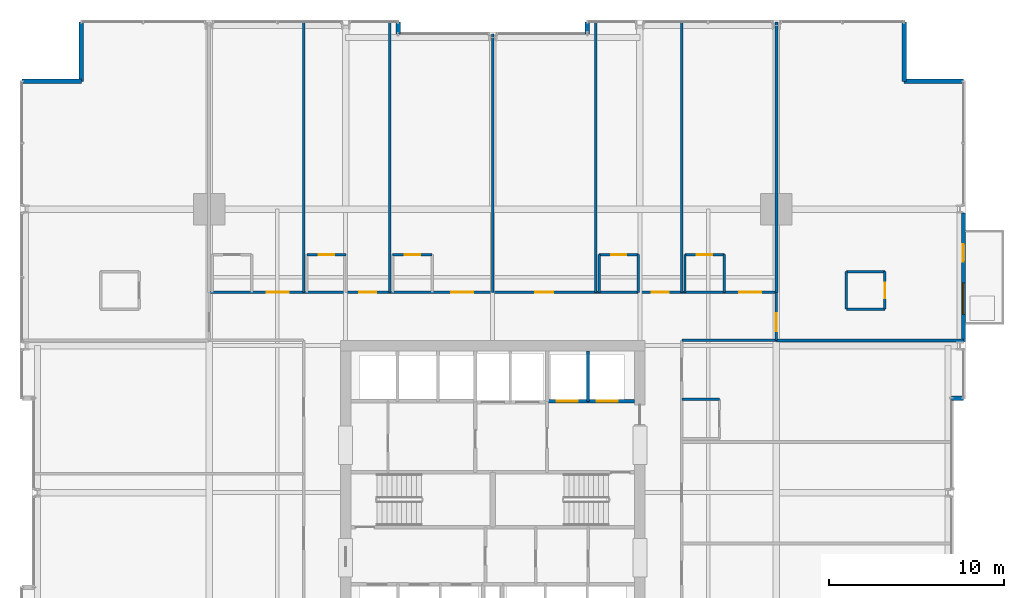
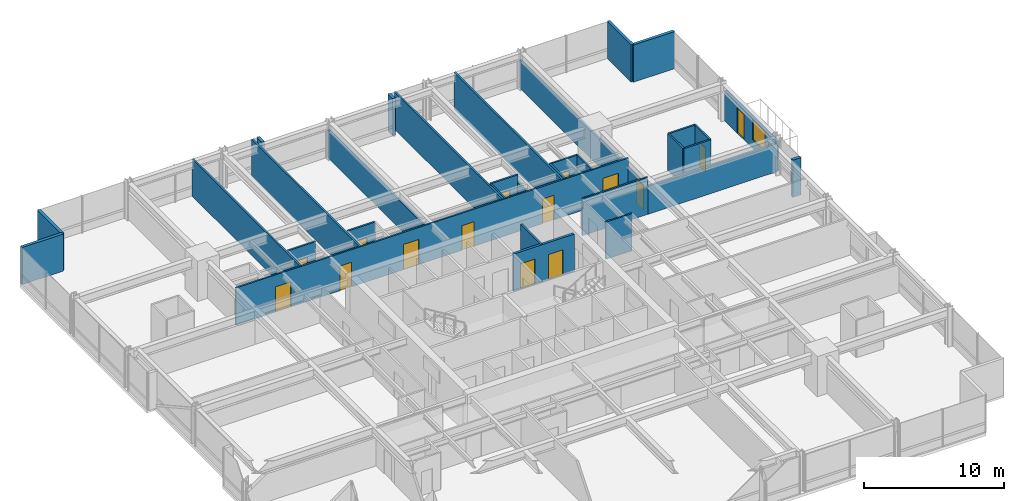
# One storey, part 33 of 38: 33 walls, 15 doors, 1 window, 16 openings.
"""IFC4 building model written with IfcOpenShell, lengths in metres."""

from ifc_helpers import new_model, si_unit, direction, frame, frame_2d, origin, place, context, subcontext, project, spatial, rectangle, extrude, material, layer, layer_set, type_object, element, fill, save


model = new_model("IFC4")

# Units and contexts
model_context = context("Model", 3, precision=1e-05, world=origin(), true_north=direction((0.0, 1.0)))
body_context = subcontext(model_context, "Body", "Model", "MODEL_VIEW")
ifc_project = project(units=[si_unit("LENGTHUNIT", "METRE"), si_unit("AREAUNIT", "SQUARE_METRE"), si_unit("VOLUMEUNIT", "CUBIC_METRE"), si_unit("PLANEANGLEUNIT", "RADIAN"), si_unit("MASSUNIT", "GRAM", prefix="KILO")], contexts=[model_context])

# Site, building, storey
site_placement = place(None, origin())
site = spatial("IfcSite", under=ifc_project, at=site_placement, CompositionType="ELEMENT")
building_placement = place(site_placement, origin())
building = spatial("IfcBuilding", under=site, at=building_placement, Name="Drelvath Grand Hotel", CompositionType="ELEMENT")
storey_placement = place(building_placement, frame((0.0, 0.0, 64.699951171875)))
storey = spatial("IfcBuildingStorey", under=building, at=storey_placement, Name="L15", CompositionType="ELEMENT", Elevation=64.699951171875)

# Wall, openings, doors
ifc_material_1 = material(Name="Concrete C40/50", Category="concrete")
ifc_layer_1 = layer(ifc_material_1, 0.199951171875)
ifc_layer_set_1 = layer_set([ifc_layer_1], Name="Concrete C40/50")
wall_type_1 = type_object("IfcWallType", Name="Core Hoistway Fire Wall 200", PredefinedType="SOLIDWALL", material=ifc_layer_set_1)
wall_1_placement = place(storey_placement, frame((3.10009765625, 32.219970703125, 0.0), z_axis=(0.0, 0.0, 1.0), x_axis=(1.0, 0.0, 0.0)))
wall_1 = element("IfcWall", 1, at=wall_1_placement, inside=storey, type_object=wall_type_1, Name="L15 FSAE Hoistway Front Wall", PredefinedType="SOLIDWALL", context=body_context, shape_type="SweptSolid", body=[
    extrude(rectangle(XDim=5.0, YDim=0.199951171875, at=frame_2d((2.5, 0.0))), origin(), (0.0, 0.0, 1.0), 3.239990234375),
])
opening_1_placement = place(wall_1_placement, frame((0.550048828125, 0.0, 0.0)))
opening_1 = element("IfcOpeningElement", 2, at=opening_1_placement, cuts=wall_1, Name="Opening LD-FSAE-1", PredefinedType="OPENING", context=body_context, shape_type="SweptSolid", body=[
    extrude(rectangle(XDim=1.199951171875, YDim=2.199951171875, at=frame_2d((0.60009765625, 1.10009765625))), frame((0.0, 0.10986328125, 0.0), z_axis=(0.0, -1.0, 0.0), x_axis=(1.0, 0.0, 0.0)), (0.0, 0.0, 1.0), 0.219970703125),
])
opening_2_placement = place(wall_1_placement, frame((2.85009765625, 0.0, 0.0)))
opening_2 = element("IfcOpeningElement", 3, at=opening_2_placement, cuts=wall_1, Name="Opening LD-FSAE-2", PredefinedType="OPENING", context=body_context, shape_type="SweptSolid", body=[
    extrude(rectangle(XDim=1.199951171875, YDim=2.199951171875, at=frame_2d((0.60009765625, 1.10009765625))), frame((0.0, 0.10986328125, 0.0), z_axis=(0.0, -1.0, 0.0), x_axis=(1.0, 0.0, 0.0)), (0.0, 0.0, 1.0), 0.219970703125),
])
ifc_material_2 = material(Name="Stainless Steel S355", Category="steel")
door_type_1 = type_object("IfcDoorType", Name="FSAE Lift Sliding Landing Door 1200x2200", OperationType="NOTDEFINED", PredefinedType="DOOR", material=ifc_material_2)
door_1_placement = place(opening_1_placement, origin())
door_1 = element("IfcDoor", 4, at=door_1_placement, inside=storey, type_object=door_type_1, Name="L15 Lift FSAE-1 Landing Door", OperationType="SLIDING_TO_LEFT", OverallHeight=2.199951171875, OverallWidth=1.199951171875, PredefinedType="DOOR", context=body_context, shape_type="SweptSolid", body=[
    extrude(rectangle(XDim=1.199951171875, YDim=2.199951171875, at=frame_2d((0.60009765625, 1.10009765625))), frame((0.0, 0.02490234375, 0.0), z_axis=(0.0, -1.0, 0.0), x_axis=(1.0, 0.0, 0.0)), (0.0, 0.0, 1.0), 0.050048828125),
])
fill(opening_1, door_1)
door_2_placement = place(opening_2_placement, origin())
door_2 = element("IfcDoor", 5, at=door_2_placement, inside=storey, type_object=door_type_1, Name="L15 Lift FSAE-2 Landing Door", OperationType="SLIDING_TO_LEFT", OverallHeight=2.199951171875, OverallWidth=1.199951171875, PredefinedType="DOOR", context=body_context, shape_type="SweptSolid", body=[
    extrude(rectangle(XDim=1.199951171875, YDim=2.199951171875, at=frame_2d((0.60009765625, 1.10009765625))), frame((0.0, 0.02490234375, 0.0), z_axis=(0.0, -1.0, 0.0), x_axis=(1.0, 0.0, 0.0)), (0.0, 0.0, 1.0), 0.050048828125),
])
fill(opening_2, door_2)

# Wall
ifc_material_3 = material(Name="Gypsum Fireboard Partition")
ifc_layer_2 = layer(ifc_material_3, 0.1650390625)
ifc_layer_set_2 = layer_set([ifc_layer_2], Name="Gypsum Fireboard Partition")
wall_type_2 = type_object("IfcWallType", Name="Core Shaft Partition 165", PredefinedType="PARTITIONING", material=ifc_layer_set_2)
wall_2_placement = place(storey_placement, frame((5.449951171875, 32.219970703125, 0.0), z_axis=(0.0, 0.0, 1.0), x_axis=(0.0, 1.0, 0.0)))
element("IfcWall", 6, at=wall_2_placement, inside=storey, type_object=wall_type_2, Name="L15 FSAE Hoistway Divider", PredefinedType="PARTITIONING", context=body_context, shape_type="SweptSolid", body=[
    extrude(rectangle(XDim=2.880126953125, YDim=0.1650390625, at=frame_2d((1.43994140625, 0.0))), origin(), (0.0, 0.0, 1.0), 3.239990234375),
])

# Wall, openings, doors
ifc_layer_3 = layer(ifc_material_3, 0.135009765625)
ifc_layer_set_3 = layer_set([ifc_layer_3], Name="Gypsum Fireboard Partition")
wall_type_3 = type_object("IfcWallType", Name="Corridor Fire Barrier Wall 135", PredefinedType="PARTITIONING", material=ifc_layer_set_3)
wall_3_placement = place(storey_placement, frame((-16.199951171875, 38.449951171875, 0.0), z_axis=(0.0, 0.0, 1.0), x_axis=(1.0, 0.0, 0.0)))
wall_3 = element("IfcWall", 7, at=wall_3_placement, inside=storey, type_object=wall_type_3, Name="L15 North Corridor Wall", PredefinedType="PARTITIONING", context=body_context, shape_type="SweptSolid", body=[
    extrude(rectangle(XDim=32.39990234375, YDim=0.135009765625, at=frame_2d((16.199951171875, 0.0))), origin(), (0.0, 0.0, 1.0), 3.239990234375),
])
opening_3_placement = place(wall_3_placement, frame((3.284912109375, 0.0, 0.0)))
opening_3 = element("IfcOpeningElement", 8, at=opening_3_placement, cuts=wall_3, Name="Opening D-T1G4-033", PredefinedType="OPENING", context=body_context, shape_type="SweptSolid", body=[
    extrude(rectangle(XDim=1.260009765625, YDim=2.199951171875, at=frame_2d((0.6298828125, 1.10009765625))), frame((0.0, 0.077392578125, 0.0), z_axis=(0.0, -1.0, 0.0), x_axis=(1.0, 0.0, 0.0)), (0.0, 0.0, 1.0), 0.155029296875),
])
opening_4_placement = place(wall_3_placement, frame((8.589599609375, 0.0, 0.0)))
opening_4 = element("IfcOpeningElement", 9, at=opening_4_placement, cuts=wall_3, Name="Opening D-T1G4-035", PredefinedType="OPENING", context=body_context, shape_type="SweptSolid", body=[
    extrude(rectangle(XDim=0.9599609375, YDim=2.14990234375, at=frame_2d((0.47998046875, 1.074951171875))), frame((0.0, 0.077392578125, 0.0), z_axis=(0.0, -1.0, 0.0), x_axis=(1.0, 0.0, 0.0)), (0.0, 0.0, 1.0), 0.155029296875),
])
opening_5_placement = place(wall_3_placement, frame((13.839599609375, 0.0, 0.0)))
opening_5 = element("IfcOpeningElement", 10, at=opening_5_placement, cuts=wall_3, Name="Opening D-T1G4-037", PredefinedType="OPENING", context=body_context, shape_type="SweptSolid", body=[
    extrude(rectangle(XDim=1.260009765625, YDim=2.199951171875, at=frame_2d((0.6298828125, 1.10009765625))), frame((0.0, 0.077392578125, 0.0), z_axis=(0.0, -1.0, 0.0), x_axis=(1.0, 0.0, 0.0)), (0.0, 0.0, 1.0), 0.155029296875),
])
opening_6_placement = place(wall_3_placement, frame((18.635498046875, 0.0, 0.0)))
opening_6 = element("IfcOpeningElement", 11, at=opening_6_placement, cuts=wall_3, Name="Opening D-T1G4-038", PredefinedType="OPENING", context=body_context, shape_type="SweptSolid", body=[
    extrude(rectangle(XDim=1.02001953125, YDim=2.14990234375, at=frame_2d((0.510009765625, 1.074951171875))), frame((0.0, 0.077392578125, 0.0), z_axis=(0.0, -1.0, 0.0), x_axis=(1.0, 0.0, 0.0)), (0.0, 0.0, 1.0), 0.155029296875),
])
opening_7_placement = place(wall_3_placement, frame((25.280517578125, 0.0, 0.0)))
opening_7 = element("IfcOpeningElement", 12, at=opening_7_placement, cuts=wall_3, Name="Opening D-T1G4-040", PredefinedType="OPENING", context=body_context, shape_type="SweptSolid", body=[
    extrude(rectangle(XDim=0.9599609375, YDim=2.14990234375, at=frame_2d((0.47998046875, 1.074951171875))), frame((0.0, 0.077392578125, 0.0), z_axis=(0.0, -1.0, 0.0), x_axis=(1.0, 0.0, 0.0)), (0.0, 0.0, 1.0), 0.155029296875),
])
opening_8_placement = place(wall_3_placement, frame((30.284912109375, 0.0, 0.0)))
opening_8 = element("IfcOpeningElement", 13, at=opening_8_placement, cuts=wall_3, Name="Opening D-T1G4-042", PredefinedType="OPENING", context=body_context, shape_type="SweptSolid", body=[
    extrude(rectangle(XDim=1.260009765625, YDim=2.199951171875, at=frame_2d((0.6298828125, 1.10009765625))), frame((0.0, 0.077392578125, 0.0), z_axis=(0.0, -1.0, 0.0), x_axis=(1.0, 0.0, 0.0)), (0.0, 0.0, 1.0), 0.155029296875),
])
ifc_material_4 = material(Name="Hardwood Walnut Timber", Category="wood")
door_type_2 = type_object("IfcDoorType", Name="Amenity Meeting Fire Door 1020x2150", OperationType="NOTDEFINED", PredefinedType="DOOR", material=ifc_material_4)
door_3_placement = place(opening_6_placement, origin())
door_3 = element("IfcDoor", 14, at=door_3_placement, inside=storey, type_object=door_type_2, Name="L15 Quiet Study Salon Entry Door", OperationType="SINGLE_SWING_LEFT", OverallHeight=2.14990234375, OverallWidth=1.02001953125, PredefinedType="DOOR", context=body_context, shape_type="SweptSolid", body=[
    extrude(rectangle(XDim=1.02001953125, YDim=2.14990234375, at=frame_2d((0.510009765625, 1.074951171875))), frame((0.0, 0.02490234375, 0.0), z_axis=(0.0, -1.0, 0.0), x_axis=(1.0, 0.0, 0.0)), (0.0, 0.0, 1.0), 0.050048828125),
])
fill(opening_6, door_3)
door_type_3 = type_object("IfcDoorType", Name="Guestroom Entrance Fire Door 960x2150", OperationType="NOTDEFINED", PredefinedType="DOOR", material=ifc_material_4)
door_4_placement = place(opening_4_placement, origin())
door_4 = element("IfcDoor", 15, at=door_4_placement, inside=storey, type_object=door_type_3, Name="L15 Deluxe Guest Room Entry Door", OperationType="SINGLE_SWING_RIGHT", OverallHeight=2.14990234375, OverallWidth=0.9599609375, PredefinedType="DOOR", context=body_context, shape_type="SweptSolid", body=[
    extrude(rectangle(XDim=0.9599609375, YDim=2.14990234375, at=frame_2d((0.47998046875, 1.074951171875))), frame((0.0, 0.02490234375, 0.0), z_axis=(0.0, -1.0, 0.0), x_axis=(1.0, 0.0, 0.0)), (0.0, 0.0, 1.0), 0.050048828125),
])
fill(opening_4, door_4)
door_5_placement = place(opening_7_placement, origin())
door_5 = element("IfcDoor", 16, at=door_5_placement, inside=storey, type_object=door_type_3, Name="L15 Deluxe Guest Room Entry Door", OperationType="SINGLE_SWING_LEFT", OverallHeight=2.14990234375, OverallWidth=0.9599609375, PredefinedType="DOOR", context=body_context, shape_type="SweptSolid", body=[
    extrude(rectangle(XDim=0.9599609375, YDim=2.14990234375, at=frame_2d((0.47998046875, 1.074951171875))), frame((0.0, 0.02490234375, 0.0), z_axis=(0.0, -1.0, 0.0), x_axis=(1.0, 0.0, 0.0)), (0.0, 0.0, 1.0), 0.050048828125),
])
fill(opening_7, door_5)
door_type_4 = type_object("IfcDoorType", Name="Suite Entrance Fire Door 1260x2200", OperationType="NOTDEFINED", PredefinedType="DOOR", material=ifc_material_4)
door_6_placement = place(opening_3_placement, origin())
door_6 = element("IfcDoor", 17, at=door_6_placement, inside=storey, type_object=door_type_4, Name="L15 Corner Suite Entry Door", OperationType="SINGLE_SWING_RIGHT", OverallHeight=2.199951171875, OverallWidth=1.260009765625, PredefinedType="DOOR", context=body_context, shape_type="SweptSolid", body=[
    extrude(rectangle(XDim=1.260009765625, YDim=2.199951171875, at=frame_2d((0.6298828125, 1.10009765625))), frame((0.0, 0.02490234375, 0.0), z_axis=(0.0, -1.0, 0.0), x_axis=(1.0, 0.0, 0.0)), (0.0, 0.0, 1.0), 0.050048828125),
])
fill(opening_3, door_6)
door_7_placement = place(opening_5_placement, origin())
door_7 = element("IfcDoor", 18, at=door_7_placement, inside=storey, type_object=door_type_4, Name="L15 Corner Suite Entry Door", OperationType="SINGLE_SWING_RIGHT", OverallHeight=2.199951171875, OverallWidth=1.260009765625, PredefinedType="DOOR", context=body_context, shape_type="SweptSolid", body=[
    extrude(rectangle(XDim=1.260009765625, YDim=2.199951171875, at=frame_2d((0.6298828125, 1.10009765625))), frame((0.0, 0.02490234375, 0.0), z_axis=(0.0, -1.0, 0.0), x_axis=(1.0, 0.0, 0.0)), (0.0, 0.0, 1.0), 0.050048828125),
])
fill(opening_5, door_7)
door_8_placement = place(opening_8_placement, origin())
door_8 = element("IfcDoor", 19, at=door_8_placement, inside=storey, type_object=door_type_4, Name="L15 Corner Suite Entry Door", OperationType="SINGLE_SWING_LEFT", OverallHeight=2.199951171875, OverallWidth=1.260009765625, PredefinedType="DOOR", context=body_context, shape_type="SweptSolid", body=[
    extrude(rectangle(XDim=1.260009765625, YDim=2.199951171875, at=frame_2d((0.6298828125, 1.10009765625))), frame((0.0, 0.02490234375, 0.0), z_axis=(0.0, -1.0, 0.0), x_axis=(1.0, 0.0, 0.0)), (0.0, 0.0, 1.0), 0.050048828125),
])
fill(opening_8, door_8)

# Wall
wall_4_placement = place(storey_placement, frame((10.800048828125, 35.699951171875, 0.0), z_axis=(0.0, 0.0, 1.0), x_axis=(1.0, 0.0, 0.0)))
element("IfcWall", 20, at=wall_4_placement, inside=storey, type_object=wall_type_3, Name="L15 NE Spur Inner Wall", PredefinedType="PARTITIONING", context=body_context, shape_type="SweptSolid", body=[
    extrude(rectangle(XDim=5.39990234375, YDim=0.135009765625, at=frame_2d((2.699951171875, 0.0))), origin(), (0.0, 0.0, 1.0), 3.239990234375),
])

# Wall, opening, door
wall_5_placement = place(storey_placement, frame((16.199951171875, 35.699951171875, 0.0), z_axis=(0.0, 0.0, 1.0), x_axis=(0.0, 1.0, 0.0)))
wall_5 = element("IfcWall", 21, at=wall_5_placement, inside=storey, type_object=wall_type_3, Name="L15 North Corridor East End", PredefinedType="PARTITIONING", context=body_context, shape_type="SweptSolid", body=[
    extrude(rectangle(XDim=2.75, YDim=0.135009765625, at=frame_2d((1.375, 0.0))), origin(), (0.0, 0.0, 1.0), 2.451904296875),
])
opening_9_placement = place(wall_5_placement, frame((0.52001953125, 0.0, 0.0)))
opening_9 = element("IfcOpeningElement", 22, at=opening_9_placement, cuts=wall_5, Name="Opening D-T1G4-025", PredefinedType="OPENING", context=body_context, shape_type="SweptSolid", body=[
    extrude(rectangle(XDim=1.02001953125, YDim=2.14990234375, at=frame_2d((0.510009765625, 1.074951171875))), frame((0.0, 0.077392578125, 0.0), z_axis=(0.0, -1.0, 0.0), x_axis=(1.0, 0.0, 0.0)), (0.0, 0.0, 1.0), 0.155029296875),
])
door_9_placement = place(opening_9_placement, origin())
door_9 = element("IfcDoor", 23, at=door_9_placement, inside=storey, type_object=door_type_2, Name="L15 Corner Suite Entry Door", OperationType="SINGLE_SWING_RIGHT", OverallHeight=2.14990234375, OverallWidth=1.02001953125, PredefinedType="DOOR", context=body_context, shape_type="SweptSolid", body=[
    extrude(rectangle(XDim=1.02001953125, YDim=2.14990234375, at=frame_2d((0.510009765625, 1.074951171875))), frame((0.0, 0.02490234375, 0.0), z_axis=(0.0, -1.0, 0.0), x_axis=(1.0, 0.0, 0.0)), (0.0, 0.0, 1.0), 0.050048828125),
])
fill(opening_9, door_9)

# Walls
ifc_material_5 = material(Name="Moisture-Resistant Gypsum Board")
ifc_layer_4 = layer(ifc_material_5, 0.139892578125)
ifc_layer_set_4 = layer_set([ifc_layer_4], Name="Moisture-Resistant Gypsum Board")
wall_type_4 = type_object("IfcWallType", Name="En-Suite Plumbing Wall 140", PredefinedType="PLUMBINGWALL", material=ifc_layer_set_4)
for number, where, z_axis, x_axis, name in (
    (24, (20.199951171875, 37.47998046875, 0.0), (0.0, 0.0, 1.0), (1.0, 0.0, 0.0), "L15 Corner En-Suite South"),
    (25, (20.199951171875, 39.6298828125, 0.0), (0.0, 0.0, 1.0), (1.0, 0.0, 0.0), "L15 Corner En-Suite North"),
):
    element("IfcWall", number, at=place(storey_placement, frame(where, z_axis=z_axis, x_axis=x_axis)), inside=storey, type_object=wall_type_4, Name=name, PredefinedType="PLUMBINGWALL", context=body_context, shape_type="SweptSolid", body=[
        extrude(rectangle(XDim=2.199951171875, YDim=0.139892578125, at=frame_2d((1.10009765625, 0.0))), origin(), (0.0, 0.0, 1.0), 3.239990234375),
    ])
wall_6_placement = place(storey_placement, frame((20.199951171875, 37.47998046875, 0.0), z_axis=(0.0, 0.0, 1.0), x_axis=(0.0, 1.0, 0.0)))
element("IfcWall", 26, at=wall_6_placement, inside=storey, type_object=wall_type_4, Name="L15 Corner En-Suite West", PredefinedType="PLUMBINGWALL", context=body_context, shape_type="SweptSolid", body=[
    extrude(rectangle(XDim=2.14990234375, YDim=0.139892578125, at=frame_2d((1.074951171875, 0.0))), origin(), (0.0, 0.0, 1.0), 3.239990234375),
])

# Wall, opening, door
wall_7_placement = place(storey_placement, frame((22.39990234375, 37.47998046875, 0.0), z_axis=(0.0, 0.0, 1.0), x_axis=(0.0, 1.0, 0.0)))
wall_7 = element("IfcWall", 27, at=wall_7_placement, inside=storey, type_object=wall_type_4, Name="L15 Corner En-Suite East", PredefinedType="PLUMBINGWALL", context=body_context, shape_type="SweptSolid", body=[
    extrude(rectangle(XDim=2.14990234375, YDim=0.139892578125, at=frame_2d((1.074951171875, 0.0))), origin(), (0.0, 0.0, 1.0), 3.239990234375),
])
opening_10_placement = place(wall_7_placement, frame((0.6201171875, 0.0, 0.0)))
opening_10 = element("IfcOpeningElement", 28, at=opening_10_placement, cuts=wall_7, Name="Opening D-T1G4-024", PredefinedType="OPENING", context=body_context, shape_type="SweptSolid", body=[
    extrude(rectangle(XDim=0.8798828125, YDim=2.10009765625, at=frame_2d((0.43994140625, 1.050048828125))), frame((0.0, 0.079833984375, 0.0), z_axis=(0.0, -1.0, 0.0), x_axis=(1.0, 0.0, 0.0)), (0.0, 0.0, 1.0), 0.159912109375),
])
door_type_5 = type_object("IfcDoorType", Name="En-Suite Bathroom Door 880x2100", OperationType="NOTDEFINED", PredefinedType="DOOR", material=ifc_material_4)
door_10_placement = place(opening_10_placement, origin())
door_10 = element("IfcDoor", 29, at=door_10_placement, inside=storey, type_object=door_type_5, Name="L15 Corner En-Suite Door", OperationType="SINGLE_SWING_LEFT", OverallHeight=2.10009765625, OverallWidth=0.8798828125, PredefinedType="DOOR", context=body_context, shape_type="SweptSolid", body=[
    extrude(rectangle(XDim=0.8798828125, YDim=2.10009765625, at=frame_2d((0.43994140625, 1.050048828125))), frame((0.0, 0.02490234375, 0.0), z_axis=(0.0, -1.0, 0.0), x_axis=(1.0, 0.0, 0.0)), (0.0, 0.0, 1.0), 0.050048828125),
])
fill(opening_10, door_10)

wall_8_placement = place(storey_placement, frame((-10.6201171875, 40.60009765625, 0.0), z_axis=(0.0, 0.0, 1.0), x_axis=(1.0, 0.0, 0.0)))
wall_8 = element("IfcWall", 30, at=wall_8_placement, inside=storey, type_object=wall_type_4, Name="L15 En-Suite Front Wall", PredefinedType="PLUMBINGWALL", context=body_context, shape_type="SweptSolid", body=[
    extrude(rectangle(XDim=2.25, YDim=0.139892578125, at=frame_2d((1.125, 0.0))), origin(), (0.0, 0.0, 1.0), 3.239990234375),
])
opening_11_placement = place(wall_8_placement, frame((0.68505859375, 0.0, 0.0)))
opening_11 = element("IfcOpeningElement", 31, at=opening_11_placement, cuts=wall_8, Name="Opening D-T1G4-034", PredefinedType="OPENING", context=body_context, shape_type="SweptSolid", body=[
    extrude(rectangle(XDim=0.8798828125, YDim=2.10009765625, at=frame_2d((0.43994140625, 1.050048828125))), frame((0.0, 0.079833984375, 0.0), z_axis=(0.0, -1.0, 0.0), x_axis=(1.0, 0.0, 0.0)), (0.0, 0.0, 1.0), 0.159912109375),
])
door_11_placement = place(opening_11_placement, origin())
door_11 = element("IfcDoor", 32, at=door_11_placement, inside=storey, type_object=door_type_5, Name="L15 En-Suite Bathroom Door", OperationType="SINGLE_SWING_LEFT", OverallHeight=2.10009765625, OverallWidth=0.8798828125, PredefinedType="DOOR", context=body_context, shape_type="SweptSolid", body=[
    extrude(rectangle(XDim=0.8798828125, YDim=2.10009765625, at=frame_2d((0.43994140625, 1.050048828125))), frame((0.0, 0.02490234375, 0.0), z_axis=(0.0, -1.0, 0.0), x_axis=(1.0, 0.0, 0.0)), (0.0, 0.0, 1.0), 0.050048828125),
])
fill(opening_11, door_11)

wall_9_placement = place(storey_placement, frame((-5.7109375, 40.60009765625, 0.0), z_axis=(0.0, 0.0, 1.0), x_axis=(1.0, 0.0, 0.0)))
wall_9 = element("IfcWall", 33, at=wall_9_placement, inside=storey, type_object=wall_type_4, Name="L15 En-Suite Front Wall", PredefinedType="PLUMBINGWALL", context=body_context, shape_type="SweptSolid", body=[
    extrude(rectangle(XDim=2.25, YDim=0.139892578125, at=frame_2d((1.125, 0.0))), origin(), (0.0, 0.0, 1.0), 3.239990234375),
])
opening_12_placement = place(wall_9_placement, frame((0.68505859375, 0.0, 0.0)))
opening_12 = element("IfcOpeningElement", 34, at=opening_12_placement, cuts=wall_9, Name="Opening D-T1G4-036", PredefinedType="OPENING", context=body_context, shape_type="SweptSolid", body=[
    extrude(rectangle(XDim=0.8798828125, YDim=2.10009765625, at=frame_2d((0.43994140625, 1.050048828125))), frame((0.0, 0.079833984375, 0.0), z_axis=(0.0, -1.0, 0.0), x_axis=(1.0, 0.0, 0.0)), (0.0, 0.0, 1.0), 0.159912109375),
])
door_12_placement = place(opening_12_placement, origin())
door_12 = element("IfcDoor", 35, at=door_12_placement, inside=storey, type_object=door_type_5, Name="L15 En-Suite Bathroom Door", OperationType="SINGLE_SWING_LEFT", OverallHeight=2.10009765625, OverallWidth=0.8798828125, PredefinedType="DOOR", context=body_context, shape_type="SweptSolid", body=[
    extrude(rectangle(XDim=0.8798828125, YDim=2.10009765625, at=frame_2d((0.43994140625, 1.050048828125))), frame((0.0, 0.02490234375, 0.0), z_axis=(0.0, -1.0, 0.0), x_axis=(1.0, 0.0, 0.0)), (0.0, 0.0, 1.0), 0.050048828125),
])
fill(opening_12, door_12)

# Walls
wall_10_placement = place(storey_placement, frame((6.07080078125, 38.449951171875, 0.0), z_axis=(0.0, 0.0, 1.0), x_axis=(0.0, 1.0, 0.0)))
element("IfcWall", 36, at=wall_10_placement, inside=storey, type_object=wall_type_4, Name="L15 En-Suite Left Wall", PredefinedType="PLUMBINGWALL", context=body_context, shape_type="SweptSolid", body=[
    extrude(rectangle(XDim=2.150146484375, YDim=0.139892578125, at=frame_2d((1.0751953125, 0.0))), origin(), (0.0, 0.0, 1.0), 3.239990234375),
])
wall_11_placement = place(storey_placement, frame((8.32080078125, 38.449951171875, 0.0), z_axis=(0.0, 0.0, 1.0), x_axis=(0.0, 1.0, 0.0)))
element("IfcWall", 37, at=wall_11_placement, inside=storey, type_object=wall_type_4, Name="L15 En-Suite Right Wall", PredefinedType="PLUMBINGWALL", context=body_context, shape_type="SweptSolid", body=[
    extrude(rectangle(XDim=2.150146484375, YDim=0.139892578125, at=frame_2d((1.0751953125, 0.0))), origin(), (0.0, 0.0, 1.0), 2.617431640625),
])

# Wall, opening, door
wall_12_placement = place(storey_placement, frame((6.07080078125, 40.60009765625, 0.0), z_axis=(0.0, 0.0, 1.0), x_axis=(1.0, 0.0, 0.0)))
wall_12 = element("IfcWall", 38, at=wall_12_placement, inside=storey, type_object=wall_type_4, Name="L15 En-Suite Front Wall", PredefinedType="PLUMBINGWALL", context=body_context, shape_type="SweptSolid", body=[
    extrude(rectangle(XDim=2.25, YDim=0.139892578125, at=frame_2d((1.125, 0.0))), origin(), (0.0, 0.0, 1.0), 3.239990234375),
])
opening_13_placement = place(wall_12_placement, frame((0.68505859375, 0.0, 0.0)))
opening_13 = element("IfcOpeningElement", 39, at=opening_13_placement, cuts=wall_12, Name="Opening D-T1G4-039", PredefinedType="OPENING", context=body_context, shape_type="SweptSolid", body=[
    extrude(rectangle(XDim=0.8798828125, YDim=2.10009765625, at=frame_2d((0.43994140625, 1.050048828125))), frame((0.0, 0.079833984375, 0.0), z_axis=(0.0, -1.0, 0.0), x_axis=(1.0, 0.0, 0.0)), (0.0, 0.0, 1.0), 0.159912109375),
])
door_13_placement = place(opening_13_placement, origin())
door_13 = element("IfcDoor", 40, at=door_13_placement, inside=storey, type_object=door_type_5, Name="L15 En-Suite Bathroom Door", OperationType="SINGLE_SWING_RIGHT", OverallHeight=2.10009765625, OverallWidth=0.8798828125, PredefinedType="DOOR", context=body_context, shape_type="SweptSolid", body=[
    extrude(rectangle(XDim=0.8798828125, YDim=2.10009765625, at=frame_2d((0.43994140625, 1.050048828125))), frame((0.0, 0.02490234375, 0.0), z_axis=(0.0, -1.0, 0.0), x_axis=(1.0, 0.0, 0.0)), (0.0, 0.0, 1.0), 0.050048828125),
])
fill(opening_13, door_13)

# Walls
for number, where, z_axis, x_axis, name in (
    (41, (10.97998046875, 38.449951171875, 0.0), (0.0, 0.0, 1.0), (0.0, 1.0, 0.0), "L15 En-Suite Left Wall"),
    (42, (13.22998046875, 38.449951171875, 0.0), (0.0, 0.0, 1.0), (0.0, 1.0, 0.0), "L15 En-Suite Right Wall"),
):
    element("IfcWall", number, at=place(storey_placement, frame(where, z_axis=z_axis, x_axis=x_axis)), inside=storey, type_object=wall_type_4, Name=name, PredefinedType="PLUMBINGWALL", context=body_context, shape_type="SweptSolid", body=[
        extrude(rectangle(XDim=2.150146484375, YDim=0.139892578125, at=frame_2d((1.0751953125, 0.0))), origin(), (0.0, 0.0, 1.0), 3.239990234375),
    ])

# Wall, opening, door
wall_13_placement = place(storey_placement, frame((10.97998046875, 40.60009765625, 0.0), z_axis=(0.0, 0.0, 1.0), x_axis=(1.0, 0.0, 0.0)))
wall_13 = element("IfcWall", 43, at=wall_13_placement, inside=storey, type_object=wall_type_4, Name="L15 En-Suite Front Wall", PredefinedType="PLUMBINGWALL", context=body_context, shape_type="SweptSolid", body=[
    extrude(rectangle(XDim=2.25, YDim=0.139892578125, at=frame_2d((1.125, 0.0))), origin(), (0.0, 0.0, 1.0), 3.239990234375),
])
opening_14_placement = place(wall_13_placement, frame((0.68505859375, 0.0, 0.0)))
opening_14 = element("IfcOpeningElement", 44, at=opening_14_placement, cuts=wall_13, Name="Opening D-T1G4-041", PredefinedType="OPENING", context=body_context, shape_type="SweptSolid", body=[
    extrude(rectangle(XDim=0.8798828125, YDim=2.10009765625, at=frame_2d((0.43994140625, 1.050048828125))), frame((0.0, 0.079833984375, 0.0), z_axis=(0.0, -1.0, 0.0), x_axis=(1.0, 0.0, 0.0)), (0.0, 0.0, 1.0), 0.159912109375),
])
door_14_placement = place(opening_14_placement, origin())
door_14 = element("IfcDoor", 45, at=door_14_placement, inside=storey, type_object=door_type_5, Name="L15 En-Suite Bathroom Door", OperationType="SINGLE_SWING_RIGHT", OverallHeight=2.10009765625, OverallWidth=0.8798828125, PredefinedType="DOOR", context=body_context, shape_type="SweptSolid", body=[
    extrude(rectangle(XDim=0.8798828125, YDim=2.10009765625, at=frame_2d((0.43994140625, 1.050048828125))), frame((0.0, 0.02490234375, 0.0), z_axis=(0.0, -1.0, 0.0), x_axis=(1.0, 0.0, 0.0)), (0.0, 0.0, 1.0), 0.050048828125),
])
fill(opening_14, door_14)

# Walls
wall_14_placement = place(storey_placement, frame((10.800048828125, 32.330078125, 0.0), z_axis=(0.0, 0.0, 1.0), x_axis=(1.0, 0.0, 0.0)))
element("IfcWall", 46, at=wall_14_placement, inside=storey, type_object=wall_type_4, Name="L15 En-Suite Right Wall", PredefinedType="PLUMBINGWALL", context=body_context, shape_type="SweptSolid", body=[
    extrude(rectangle(XDim=2.14990234375, YDim=0.139892578125, at=frame_2d((1.074951171875, 0.0))), origin(), (0.0, 0.0, 1.0), 3.239990234375),
])
ifc_material_6 = material(Name="Gypsum Acoustic Partition")
ifc_layer_5 = layer(ifc_material_6, 0.14990234375)
ifc_layer_set_5 = layer_set([ifc_layer_5], Name="Gypsum Acoustic Partition")
wall_type_5 = type_object("IfcWallType", Name="Guestroom Demising Wall 150", PredefinedType="PARTITIONING", material=ifc_layer_set_5)
for number, where, z_axis, x_axis, name in (
    (47, (-10.800048828125, 38.449951171875, 0.0), (0.0, 0.0, 1.0), (0.0, 1.0, 0.0), "L15 North Demising 1"),
    (48, (-5.890869140625, 38.449951171875, 0.0), (0.0, 0.0, 1.0), (0.0, 1.0, 0.0), "L15 North Demising 2"),
):
    element("IfcWall", number, at=place(storey_placement, frame(where, z_axis=z_axis, x_axis=x_axis)), inside=storey, type_object=wall_type_5, Name=name, PredefinedType="PARTITIONING", context=body_context, shape_type="SweptSolid", body=[
        extrude(rectangle(XDim=15.429931640625, YDim=0.14990234375, at=frame_2d((7.71484375, 0.0))), origin(), (0.0, 0.0, 1.0), 3.239990234375),
    ])
wall_15_placement = place(storey_placement, frame((0.0, 38.449951171875, 0.0), z_axis=(0.0, 0.0, 1.0), x_axis=(0.0, 1.0, 0.0)))
element("IfcWall", 49, at=wall_15_placement, inside=storey, type_object=wall_type_5, Name="L15 North Demising 3", PredefinedType="PARTITIONING", context=body_context, shape_type="SweptSolid", body=[
    extrude(rectangle(XDim=14.75, YDim=0.14990234375, at=frame_2d((7.375, 0.0))), origin(), (0.0, 0.0, 1.0), 2.451904296875),
])
for number, where, z_axis, x_axis, name in (
    (50, (5.890869140625, 38.449951171875, 0.0), (0.0, 0.0, 1.0), (0.0, 1.0, 0.0), "L15 North Demising 4"),
    (51, (10.800048828125, 38.449951171875, 0.0), (0.0, 0.0, 1.0), (0.0, 1.0, 0.0), "L15 North Demising 5"),
):
    element("IfcWall", number, at=place(storey_placement, frame(where, z_axis=z_axis, x_axis=x_axis)), inside=storey, type_object=wall_type_5, Name=name, PredefinedType="PARTITIONING", context=body_context, shape_type="SweptSolid", body=[
        extrude(rectangle(XDim=15.429931640625, YDim=0.14990234375, at=frame_2d((7.71484375, 0.0))), origin(), (0.0, 0.0, 1.0), 3.239990234375),
    ])
ifc_layer_6 = layer(ifc_material_6, 0.1650390625)
ifc_layer_set_6 = layer_set([ifc_layer_6], Name="Gypsum Acoustic Partition")
wall_type_6 = type_object("IfcWallType", Name="Suite Demising Wall 165", PredefinedType="PARTITIONING", material=ifc_layer_set_6)
wall_16_placement = place(storey_placement, frame((16.199951171875, 38.449951171875, 0.0), z_axis=(0.0, 0.0, 1.0), x_axis=(0.0, 1.0, 0.0)))
element("IfcWall", 52, at=wall_16_placement, inside=storey, type_object=wall_type_6, Name="L15 NE Wing Boundary Wall", PredefinedType="PARTITIONING", context=body_context, shape_type="SweptSolid", body=[
    extrude(rectangle(XDim=15.429931640625, YDim=0.1650390625, at=frame_2d((7.71484375, 0.0))), origin(), (0.0, 0.0, 1.0), 2.451904296875),
])
wall_17_placement = place(storey_placement, frame((16.199951171875, 35.699951171875, 0.0), z_axis=(0.0, 0.0, 1.0), x_axis=(1.0, 0.0, 0.0)))
element("IfcWall", 53, at=wall_17_placement, inside=storey, type_object=wall_type_6, Name="L15 NE Corner South Wall", PredefinedType="PARTITIONING", context=body_context, shape_type="SweptSolid", body=[
    extrude(rectangle(XDim=10.679931640625, YDim=0.1650390625, at=frame_2d((5.33984375, 0.0))), origin(), (0.0, 0.0, 1.0), 2.451904296875),
])

# Wall, openings, window, door
ifc_material_7 = material(Name="Pale-Metal Insulated Aluminium Spandrel Assembly", Category="aluminium")
ifc_layer_7 = layer(ifc_material_7, 0.239990234375)
ifc_layer_set_7 = layer_set([ifc_layer_7], Name="Pale-Metal Insulated Aluminium Spandrel Assembly")
wall_type_7 = type_object("IfcWallType", Name="Tower Insulated Metal Spandrel Closure Wall 240", PredefinedType="STANDARD", material=ifc_layer_set_7)
wall_18_placement = place(storey_placement, frame((26.8798828125, 42.970947265625, 0.0), z_axis=(0.0, 0.0, 1.0), x_axis=(0.0, -1.0, 0.0)))
wall_18 = element("IfcWall", 54, at=wall_18_placement, inside=storey, type_object=wall_type_7, Name="L15 Exterior Terrace Door Bay Wall EN2", PredefinedType="STANDARD", context=body_context, shape_type="SweptSolid", body=[
    extrude(rectangle(XDim=7.341796875, YDim=0.239990234375, at=frame_2d((3.6708984375, 0.0))), origin(), (0.0, 0.0, 1.0), 2.629150390625),
])
opening_15_placement = place(wall_18_placement, frame((1.77099609375, 0.0, 0.0)))
opening_15 = element("IfcOpeningElement", 55, at=opening_15_placement, cuts=wall_18, Name="Opening TD-1000", PredefinedType="OPENING", context=body_context, shape_type="SweptSolid", body=[
    extrude(rectangle(XDim=1.0, YDim=2.199951171875, at=frame_2d((0.5, 1.10009765625))), frame((0.0, 0.1298828125, 0.0), z_axis=(0.0, -1.0, 0.0), x_axis=(1.0, 0.0, 0.0)), (0.0, 0.0, 1.0), 0.260009765625),
])
opening_16_placement = place(wall_18_placement, frame((3.98291015625, 0.0, 0.75)))
opening_16 = element("IfcOpeningElement", 56, at=opening_16_placement, cuts=wall_18, Name="Opening W-02", PredefinedType="OPENING", context=body_context, shape_type="SweptSolid", body=[
    extrude(rectangle(XDim=1.800048828125, YDim=1.779052734375, at=frame_2d((0.89990234375, 0.8896484375))), frame((0.0, 0.1298828125, 0.0), z_axis=(0.0, -1.0, 0.0), x_axis=(1.0, 0.0, 0.0)), (0.0, 0.0, 1.0), 0.260009765625),
])
ifc_material_8 = material(Name="Bronze Anodised Low-E Triple Glazing", Category="glass")
window_type = type_object("IfcWindowType", Name="Chicago Double-Pane Podium Window 1800x2400", PartitioningType="DOUBLE_PANEL_VERTICAL", PredefinedType="WINDOW", material=ifc_material_8)
window_placement = place(opening_16_placement, origin())
window = element("IfcWindow", 57, at=window_placement, inside=storey, type_object=window_type, Name="L15 Terrace Bay Companion Window EN2", OverallHeight=1.779052734375, OverallWidth=1.800048828125, PartitioningType="SINGLE_PANEL", PredefinedType="WINDOW", context=body_context, shape_type="SweptSolid", body=[
    extrude(rectangle(XDim=1.800048828125, YDim=1.779052734375, at=frame_2d((0.89990234375, 0.8896484375))), frame((0.0, 0.030029296875, 0.0), z_axis=(0.0, -1.0, 0.0), x_axis=(1.0, 0.0, 0.0)), (0.0, 0.0, 1.0), 0.06005859375),
])
fill(opening_16, window)
ifc_material_9 = material(Name="Anodised Aluminium Thermally Broken Glazed Door", Category="aluminium")
door_type_6 = type_object("IfcDoorType", Name="Terrace and Tree Balcony Glazed Door 1000x2200", OperationType="NOTDEFINED", PredefinedType="DOOR", material=ifc_material_9)
door_15_placement = place(opening_15_placement, origin())
door_15 = element("IfcDoor", 58, at=door_15_placement, inside=storey, type_object=door_type_6, Name="L15 Tree Balcony Door DOOR-L15-TBAL-1", OperationType="SINGLE_SWING_RIGHT", OverallHeight=2.199951171875, OverallWidth=1.0, PredefinedType="DOOR", context=body_context, shape_type="SweptSolid", body=[
    extrude(rectangle(XDim=1.0, YDim=2.199951171875, at=frame_2d((0.5, 1.10009765625))), frame((0.0, 0.02490234375, 0.0), z_axis=(0.0, -1.0, 0.0), x_axis=(1.0, 0.0, 0.0)), (0.0, 0.0, 1.0), 0.050048828125),
])
fill(opening_15, door_15)

# Walls
for number, where, z_axis, x_axis, name in (
    (59, (-26.8798828125, 50.5, 0.0), (0.0, 0.0, 1.0), (1.0, 0.0, 0.0), "L15 Notched Corner Return Spandrel Wall CNW1"),
    (60, (-23.5, 50.5, 0.0), (0.0, 0.0, 1.0), (0.0, 1.0, 0.0), "L15 Notched Corner Return Spandrel Wall CNW2"),
    (61, (23.5, 53.8798828125, 0.0), (0.0, 0.0, 1.0), (0.0, -1.0, 0.0), "L15 Notched Corner Return Spandrel Wall CNE1"),
    (62, (23.5, 50.5, 0.0), (0.0, 0.0, 1.0), (1.0, 0.0, 0.0), "L15 Notched Corner Return Spandrel Wall CNE2"),
):
    element("IfcWall", number, at=place(storey_placement, frame(where, z_axis=z_axis, x_axis=x_axis)), inside=storey, type_object=wall_type_7, Name=name, PredefinedType="STANDARD", context=body_context, shape_type="SweptSolid", body=[
        extrude(rectangle(XDim=3.3798828125, YDim=0.239990234375, at=frame_2d((1.68994140625, 0.0))), origin(), (0.0, 0.0, 1.0), 3.239990234375),
    ])
for number, where, z_axis, x_axis, name in (
    (63, (26.8798828125, 32.39990234375, 0.0), (0.0, 0.0, 1.0), (-1.0, 0.0, 0.0), "L15 Notched Corner Return Spandrel Wall RE1"),
    (64, (-5.39990234375, 53.8798828125, 0.0), (0.0, 0.0, 1.0), (0.0, -1.0, 0.0), "L15 Notched Corner Return Spandrel Wall RN1"),
    (65, (5.39990234375, 53.199951171875, 0.0), (0.0, 0.0, 1.0), (0.0, 1.0, 0.0), "L15 Notched Corner Return Spandrel Wall RN2"),
):
    element("IfcWall", number, at=place(storey_placement, frame(where, z_axis=z_axis, x_axis=x_axis)), inside=storey, type_object=wall_type_7, Name=name, PredefinedType="STANDARD", context=body_context, shape_type="SweptSolid", body=[
        extrude(rectangle(XDim=0.679931640625, YDim=0.239990234375, at=frame_2d((0.33984375, 0.0))), origin(), (0.0, 0.0, 1.0), 3.239990234375),
    ])

save(model, "model.ifc")
